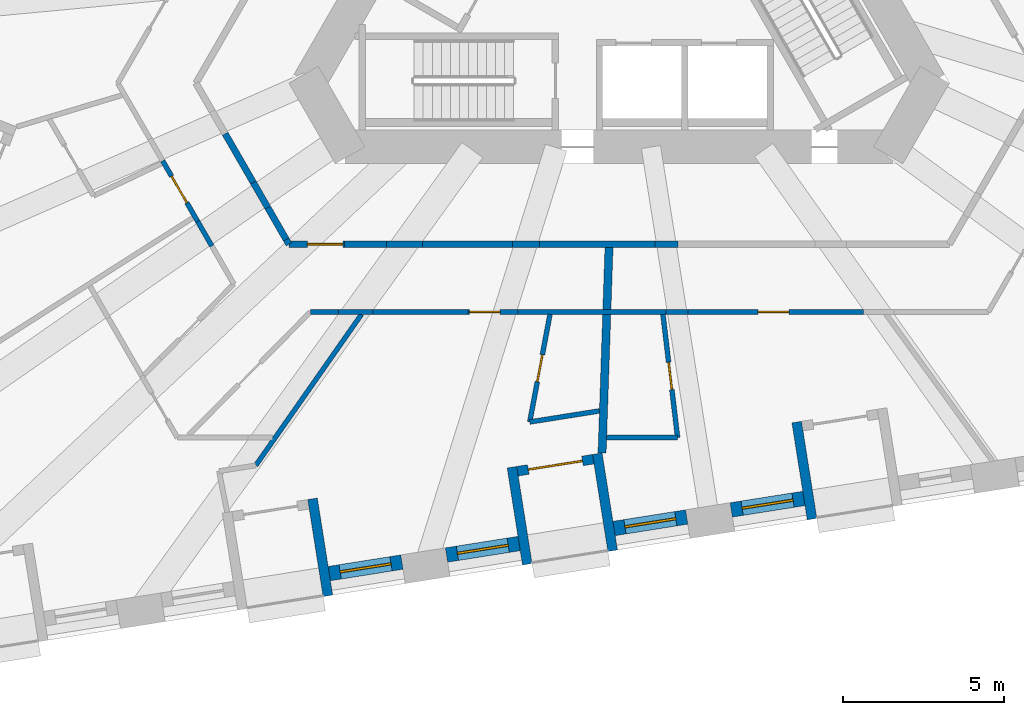
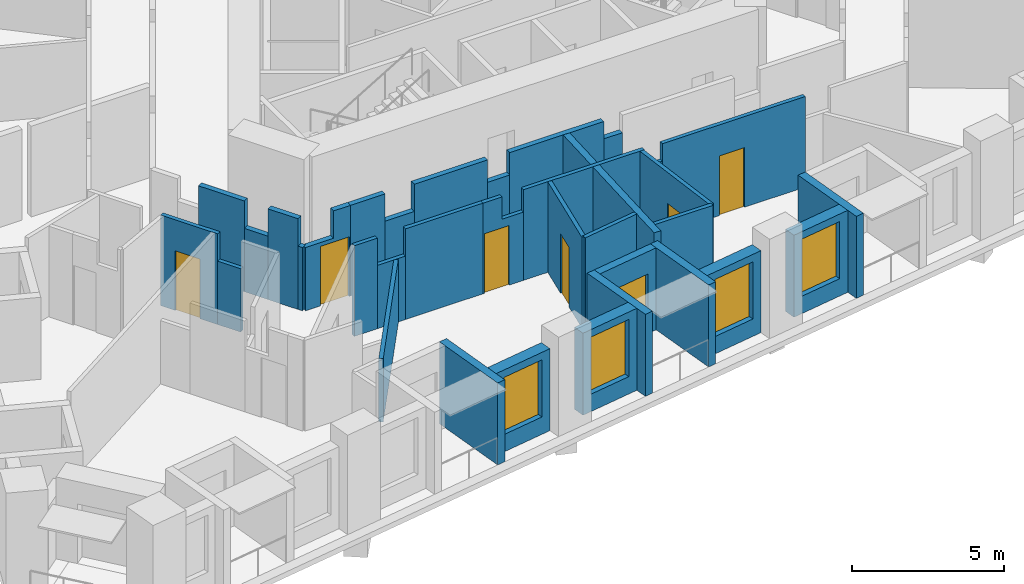
# One storey, part 3 of 14: 35 walls, 7 doors, 4 windows, 11 openings.
"""IFC4 building model written with IfcOpenShell, lengths in metres."""

from ifc_helpers import new_model, si_unit, direction, frame, frame_2d, origin, place, context, subcontext, project, spatial, polyline, rectangle, outline, extrude, material, layer, layer_set, type_object, element, fill, save


model = new_model("IFC4")

# Units and contexts
model_context = context("Model", 3, precision=1e-05, world=origin(), true_north=direction((0.0, 1.0)))
body_context = subcontext(model_context, "Body", "Model", "MODEL_VIEW")
ifc_project = project(units=[si_unit("LENGTHUNIT", "METRE"), si_unit("AREAUNIT", "SQUARE_METRE"), si_unit("VOLUMEUNIT", "CUBIC_METRE"), si_unit("PLANEANGLEUNIT", "RADIAN"), si_unit("MASSUNIT", "GRAM", prefix="KILO")], contexts=[model_context])

# Site, building, storey
site_placement = place(None, origin())
site = spatial("IfcSite", under=ifc_project, at=site_placement, CompositionType="ELEMENT")
building_placement = place(site_placement, origin())
building = spatial("IfcBuilding", under=site, at=building_placement, Name="Tramontana Tower", CompositionType="ELEMENT")
storey_placement = place(building_placement, frame((0.0, 0.0, 71.199951171875)))
storey = spatial("IfcBuildingStorey", under=building, at=storey_placement, Name="L15", CompositionType="ELEMENT", Elevation=71.199951171875)

# Walls
ifc_material_1 = material(Name="Blockwork", Category="masonry")
ifc_layer_1 = layer(ifc_material_1, 0.199951171875)
ifc_layer_set_1 = layer_set([ifc_layer_1], Name="ENTRY WALL 200")
wall_type_1 = type_object("IfcWallType", Name="ENTRY WALL 200", PredefinedType="SOLIDWALL", material=ifc_layer_set_1)
wall_1_placement = place(storey_placement, frame((1.8193359375, -9.25, 0.0), z_axis=(0.0, 0.0, 1.0), x_axis=(-1.0, 0.0, 0.0)))
element("IfcWall", 1, at=wall_1_placement, inside=storey, type_object=wall_type_1, Name="Wall v11-ew2-3", PredefinedType="SOLIDWALL", context=body_context, shape_type="SweptSolid", body=[
    extrude(rectangle(XDim=0.708740234375, YDim=0.199951171875, at=frame_2d((0.3544921875, 0.0))), origin(), (0.0, 0.0, 1.0), 2.949951171875),
])
wall_2_placement = place(storey_placement, frame((1.110595703125, -9.25, 0.0), z_axis=(0.0, 0.0, 1.0), x_axis=(-1.0, 0.0, 0.0)))
element("IfcWall", 2, at=wall_2_placement, inside=storey, type_object=wall_type_1, Name="Wall v11-ew2-4", PredefinedType="SOLIDWALL", context=body_context, shape_type="SweptSolid", body=[
    extrude(rectangle(XDim=3.585205078125, YDim=0.199951171875, at=frame_2d((1.79248046875, 0.0))), origin(), (0.0, 0.0, 1.0), 3.650146484375),
])
wall_3_placement = place(storey_placement, frame((-2.474609375, -9.25, 0.0), z_axis=(0.0, 0.0, 1.0), x_axis=(-1.0, 0.0, 0.0)))
element("IfcWall", 3, at=wall_3_placement, inside=storey, type_object=wall_type_1, Name="Wall v11-ew2-5", PredefinedType="SOLIDWALL", context=body_context, shape_type="SweptSolid", body=[
    extrude(rectangle(XDim=0.838134765625, YDim=0.199951171875, at=frame_2d((0.4189453125, 0.0))), origin(), (0.0, 0.0, 1.0), 2.75),
])
wall_4_placement = place(storey_placement, frame((-3.312744140625, -9.25, 0.0), z_axis=(0.0, 0.0, 1.0), x_axis=(-1.0, 0.0, 0.0)))
element("IfcWall", 4, at=wall_4_placement, inside=storey, type_object=wall_type_1, Name="Wall v11-ew2-6", PredefinedType="SOLIDWALL", context=body_context, shape_type="SweptSolid", body=[
    extrude(rectangle(XDim=2.793701171875, YDim=0.199951171875, at=frame_2d((1.39697265625, 0.0))), origin(), (0.0, 0.0, 1.0), 3.650146484375),
])
wall_5_placement = place(storey_placement, frame((-6.1064453125, -9.25, 0.0), z_axis=(0.0, 0.0, 1.0), x_axis=(-1.0, 0.0, 0.0)))
element("IfcWall", 5, at=wall_5_placement, inside=storey, type_object=wall_type_1, Name="Wall v11-ew2-7", PredefinedType="SOLIDWALL", context=body_context, shape_type="SweptSolid", body=[
    extrude(rectangle(XDim=1.10888671875, YDim=0.199951171875, at=frame_2d((0.554443359375, 0.0))), origin(), (0.0, 0.0, 1.0), 2.550048828125),
])
wall_6_placement = place(storey_placement, frame((-7.21533203125, -9.25, 0.0), z_axis=(0.0, 0.0, 1.0), x_axis=(-1.0, 0.0, 0.0)))
element("IfcWall", 6, at=wall_6_placement, inside=storey, type_object=wall_type_1, Name="Wall v11-ew2-8", PredefinedType="SOLIDWALL", context=body_context, shape_type="SweptSolid", body=[
    extrude(rectangle(XDim=1.3125, YDim=0.199951171875, at=frame_2d((0.65625, 0.0))), origin(), (0.0, 0.0, 1.0), 3.650146484375),
])

# Wall, opening, door
wall_7_placement = place(storey_placement, frame((-10.248046875, -9.25, 0.0), z_axis=(0.0, 0.0, 1.0), x_axis=(1.0, 0.0, 0.0)))
wall_7 = element("IfcWall", 7, at=wall_7_placement, inside=storey, type_object=wall_type_1, Name="Wall v11-ew2-9", PredefinedType="SOLIDWALL", context=body_context, shape_type="SweptSolid", body=[
    extrude(outline(polyline([(0.0, 0.0), (1.72021484375, 0.0), (1.72021484375, 3.650146484375), (1.0703125, 3.650146484375), (1.0703125, 2.550048828125), (0.0, 2.550048828125), (0.0, 0.0)])), frame((0.0, 0.10009765625, 0.0), z_axis=(0.0, -1.0, 0.0), x_axis=(1.0, 0.0, 0.0)), (0.0, 0.0, 1.0), 0.199951171875),
])
opening_1_placement = place(wall_7_placement, frame((0.570068359375, 0.0, 0.0)))
opening_1 = element("IfcOpeningElement", 8, at=opening_1_placement, cuts=wall_7, Name="Opening B1B-30", PredefinedType="OPENING", context=body_context, shape_type="SweptSolid", body=[
    extrude(rectangle(XDim=1.10009765625, YDim=2.39990234375, at=frame_2d((0.550048828125, 1.199951171875))), frame((0.0, 0.10986328125, 0.0), z_axis=(0.0, -1.0, 0.0), x_axis=(1.0, 0.0, 0.0)), (0.0, 0.0, 1.0), 0.219970703125),
])
ifc_material_2 = material(Name="Painted timber", Category="wood")
door_type_1 = type_object("IfcDoorType", Name="DOOR ENTRY 1100", OperationType="SINGLE_SWING_LEFT", PredefinedType="DOOR", material=ifc_material_2)
door_1_placement = place(opening_1_placement, origin())
door_1 = element("IfcDoor", 9, at=door_1_placement, inside=storey, type_object=door_type_1, Name="Door B1B-30", OperationType="SINGLE_SWING_RIGHT", OverallHeight=2.39990234375, OverallWidth=1.10009765625, PredefinedType="DOOR", context=body_context, shape_type="SweptSolid", body=[
    extrude(rectangle(XDim=1.10009765625, YDim=2.39990234375, at=frame_2d((0.550048828125, 1.199951171875))), frame((0.0, 0.02490234375, 0.0), z_axis=(0.0, -1.0, 0.0), x_axis=(1.0, 0.0, 0.0)), (0.0, 0.0, 1.0), 0.050048828125),
])
fill(opening_1, door_1)

# Walls
wall_8_placement = place(storey_placement, frame((-10.248046875, -9.25, 0.0), z_axis=(0.0, 0.0, 1.0), x_axis=(-0.499516518495, 0.866304362075, 0.0)))
element("IfcWall", 10, at=wall_8_placement, inside=storey, type_object=wall_type_1, Name="Wall v11-ew3-0", PredefinedType="SOLIDWALL", context=body_context, shape_type="SweptSolid", body=[
    extrude(rectangle(XDim=0.171142578125, YDim=0.199951171875, at=frame_2d((0.08544921875, 0.0))), origin(), (0.0, 0.0, 1.0), 2.550048828125),
])
wall_9_placement = place(storey_placement, frame((-10.33349609375, -9.101806640625, 0.0), z_axis=(0.0, 0.0, 1.0), x_axis=(-0.500049527193, 0.865996807358, 0.0)))
element("IfcWall", 11, at=wall_9_placement, inside=storey, type_object=wall_type_1, Name="Wall v11-ew3-1", PredefinedType="SOLIDWALL", context=body_context, shape_type="SweptSolid", body=[
    extrude(rectangle(XDim=1.1416015625, YDim=0.199951171875, at=frame_2d((0.57080078125, 0.0))), origin(), (0.0, 0.0, 1.0), 3.650146484375),
])
wall_10_placement = place(storey_placement, frame((-10.904296875, -8.11328125, 0.0), z_axis=(0.0, 0.0, 1.0), x_axis=(-0.499948710669, 0.866055013668, 0.0)))
element("IfcWall", 12, at=wall_10_placement, inside=storey, type_object=wall_type_1, Name="Wall v11-ew3-2", PredefinedType="SOLIDWALL", context=body_context, shape_type="SweptSolid", body=[
    extrude(rectangle(XDim=0.90283203125, YDim=0.199951171875, at=frame_2d((0.451416015625, 0.0))), origin(), (0.0, 0.0, 1.0), 2.550048828125),
])
wall_11_placement = place(storey_placement, frame((-11.355712890625, -7.331298828125, 0.0), z_axis=(0.0, 0.0, 1.0), x_axis=(-0.50000494408, 0.866022549299, 0.0)))
element("IfcWall", 13, at=wall_11_placement, inside=storey, type_object=wall_type_1, Name="Wall v11-ew3-3", PredefinedType="SOLIDWALL", context=body_context, shape_type="SweptSolid", body=[
    extrude(rectangle(XDim=1.74560546875, YDim=0.199951171875, at=frame_2d((0.872802734375, 0.0))), origin(), (0.0, 0.0, 1.0), 3.650146484375),
])

# Wall, opening, window
ifc_material_3 = material(Name="Precast concrete 60 MPa", Category="concrete")
ifc_layer_2 = layer(ifc_material_3, 0.449951171875)
ifc_layer_set_2 = layer_set([ifc_layer_2], Name="Precast concrete 60 MPa, 450 mm")
wall_type_2 = type_object("IfcWallType", Name="EW1 Stone-faced precast wall 450", PredefinedType="SOLIDWALL", material=ifc_layer_set_2)
wall_12_placement = place(storey_placement, frame((-8.99658203125, -19.47216796875, 0.0), z_axis=(0.0, 0.0, 1.0), x_axis=(0.987685675151, 0.156451293065, 0.0)))
wall_12 = element("IfcWall", 14, at=wall_12_placement, inside=storey, type_object=wall_type_2, Name="External wall L15 face 1 bay 2", PredefinedType="SOLIDWALL", context=body_context, shape_type="SweptSolid", body=[
    extrude(rectangle(XDim=2.282958984375, YDim=0.449951171875, at=frame_2d((1.1416015625, 0.0))), origin(), (0.0, 0.0, 1.0), 3.300048828125),
])
opening_2_placement = place(wall_12_placement, frame((0.341552734375, 0.0, 0.699951171875)))
opening_2 = element("IfcOpeningElement", 15, at=opening_2_placement, cuts=wall_12, Name="Opening M1", PredefinedType="OPENING", context=body_context, shape_type="SweptSolid", body=[
    extrude(rectangle(XDim=1.60009765625, YDim=2.300048828125, at=frame_2d((0.800048828125, 1.14990234375))), frame((0.0, 0.23486328125, 0.0), z_axis=(0.0, -1.0, 0.0), x_axis=(1.0, 0.0, 0.0)), (0.0, 0.0, 1.0), 0.469970703125),
])
ifc_material_4 = material(Name="Aluminum frame, double glazing unit", Category="aluminium")
window_type = type_object("IfcWindowType", Name="M1 Window 1.6 x 2.3", PartitioningType="SINGLE_PANEL", PredefinedType="WINDOW", material=ifc_material_4)
window_1_placement = place(opening_2_placement, origin())
window_1 = element("IfcWindow", 16, at=window_1_placement, inside=storey, type_object=window_type, Name="Window M1 L15 face 1 module 6", OverallHeight=2.300048828125, OverallWidth=1.60009765625, PartitioningType="SINGLE_PANEL", PredefinedType="WINDOW", context=body_context, shape_type="SweptSolid", body=[
    extrude(rectangle(XDim=1.60009765625, YDim=2.300048828125, at=frame_2d((0.800048828125, 1.14990234375))), frame((0.0, 0.030029296875, 0.0), z_axis=(0.0, -1.0, 0.0), x_axis=(1.0, 0.0, 0.0)), (0.0, 0.0, 1.0), 0.06005859375),
])
fill(opening_2, window_1)

wall_13_placement = place(storey_placement, frame((-5.35888671875, -18.89599609375, 0.0), z_axis=(0.0, 0.0, 1.0), x_axis=(0.987685675151, 0.156451293065, 0.0)))
wall_13 = element("IfcWall", 17, at=wall_13_placement, inside=storey, type_object=wall_type_2, Name="External wall L15 face 1 bay 3", PredefinedType="SOLIDWALL", context=body_context, shape_type="SweptSolid", body=[
    extrude(rectangle(XDim=2.282958984375, YDim=0.449951171875, at=frame_2d((1.1416015625, 0.0))), origin(), (0.0, 0.0, 1.0), 3.300048828125),
])
opening_3_placement = place(wall_13_placement, frame((0.341552734375, 0.0, 0.699951171875)))
opening_3 = element("IfcOpeningElement", 18, at=opening_3_placement, cuts=wall_13, Name="Opening M1", PredefinedType="OPENING", context=body_context, shape_type="SweptSolid", body=[
    extrude(rectangle(XDim=1.60009765625, YDim=2.300048828125, at=frame_2d((0.800048828125, 1.14990234375))), frame((0.0, 0.23486328125, 0.0), z_axis=(0.0, -1.0, 0.0), x_axis=(1.0, 0.0, 0.0)), (0.0, 0.0, 1.0), 0.469970703125),
])
window_2_placement = place(opening_3_placement, origin())
window_2 = element("IfcWindow", 19, at=window_2_placement, inside=storey, type_object=window_type, Name="Window M1 L15 face 1 module 7", OverallHeight=2.300048828125, OverallWidth=1.60009765625, PartitioningType="SINGLE_PANEL", PredefinedType="WINDOW", context=body_context, shape_type="SweptSolid", body=[
    extrude(rectangle(XDim=1.60009765625, YDim=2.300048828125, at=frame_2d((0.800048828125, 1.14990234375))), frame((0.0, 0.030029296875, 0.0), z_axis=(0.0, -1.0, 0.0), x_axis=(1.0, 0.0, 0.0)), (0.0, 0.0, 1.0), 0.06005859375),
])
fill(opening_3, window_2)

wall_14_placement = place(storey_placement, frame((-0.15771484375, -18.072265625, 0.0), z_axis=(0.0, 0.0, 1.0), x_axis=(0.987685675151, 0.156451293065, 0.0)))
wall_14 = element("IfcWall", 20, at=wall_14_placement, inside=storey, type_object=wall_type_2, Name="External wall L15 face 1 bay 3", PredefinedType="SOLIDWALL", context=body_context, shape_type="SweptSolid", body=[
    extrude(rectangle(XDim=2.282958984375, YDim=0.449951171875, at=frame_2d((1.1416015625, 0.0))), origin(), (0.0, 0.0, 1.0), 3.300048828125),
])
opening_4_placement = place(wall_14_placement, frame((0.341552734375, 0.0, 0.699951171875)))
opening_4 = element("IfcOpeningElement", 21, at=opening_4_placement, cuts=wall_14, Name="Opening M1", PredefinedType="OPENING", context=body_context, shape_type="SweptSolid", body=[
    extrude(rectangle(XDim=1.60009765625, YDim=2.300048828125, at=frame_2d((0.800048828125, 1.14990234375))), frame((0.0, 0.23486328125, 0.0), z_axis=(0.0, -1.0, 0.0), x_axis=(1.0, 0.0, 0.0)), (0.0, 0.0, 1.0), 0.469970703125),
])
window_3_placement = place(opening_4_placement, origin())
window_3 = element("IfcWindow", 22, at=window_3_placement, inside=storey, type_object=window_type, Name="Window M1 L15 face 1 module 9", OverallHeight=2.300048828125, OverallWidth=1.60009765625, PartitioningType="SINGLE_PANEL", PredefinedType="WINDOW", context=body_context, shape_type="SweptSolid", body=[
    extrude(rectangle(XDim=1.60009765625, YDim=2.300048828125, at=frame_2d((0.800048828125, 1.14990234375))), frame((0.0, 0.030029296875, 0.0), z_axis=(0.0, -1.0, 0.0), x_axis=(1.0, 0.0, 0.0)), (0.0, 0.0, 1.0), 0.06005859375),
])
fill(opening_4, window_3)

wall_15_placement = place(storey_placement, frame((3.479736328125, -17.49609375, 0.0), z_axis=(0.0, 0.0, 1.0), x_axis=(0.987685675151, 0.156451293065, 0.0)))
wall_15 = element("IfcWall", 23, at=wall_15_placement, inside=storey, type_object=wall_type_2, Name="External wall L15 face 1 bay 4", PredefinedType="SOLIDWALL", context=body_context, shape_type="SweptSolid", body=[
    extrude(rectangle(XDim=2.282958984375, YDim=0.449951171875, at=frame_2d((1.1416015625, 0.0))), origin(), (0.0, 0.0, 1.0), 3.300048828125),
])
opening_5_placement = place(wall_15_placement, frame((0.341552734375, 0.0, 0.699951171875)))
opening_5 = element("IfcOpeningElement", 24, at=opening_5_placement, cuts=wall_15, Name="Opening M1", PredefinedType="OPENING", context=body_context, shape_type="SweptSolid", body=[
    extrude(rectangle(XDim=1.60009765625, YDim=2.300048828125, at=frame_2d((0.800048828125, 1.14990234375))), frame((0.0, 0.23486328125, 0.0), z_axis=(0.0, -1.0, 0.0), x_axis=(1.0, 0.0, 0.0)), (0.0, 0.0, 1.0), 0.469970703125),
])
window_4_placement = place(opening_5_placement, origin())
window_4 = element("IfcWindow", 25, at=window_4_placement, inside=storey, type_object=window_type, Name="Window M1 L15 face 1 module 10", OverallHeight=2.300048828125, OverallWidth=1.60009765625, PartitioningType="SINGLE_PANEL", PredefinedType="WINDOW", context=body_context, shape_type="SweptSolid", body=[
    extrude(rectangle(XDim=1.60009765625, YDim=2.300048828125, at=frame_2d((0.800048828125, 1.14990234375))), frame((0.0, 0.030029296875, 0.0), z_axis=(0.0, -1.0, 0.0), x_axis=(1.0, 0.0, 0.0)), (0.0, 0.0, 1.0), 0.06005859375),
])
fill(opening_5, window_4)

# Wall
ifc_material_5 = material(Name="Precast concrete 60 MPa", Category="concrete")
ifc_layer_3 = layer(ifc_material_5, 0.300048828125)
ifc_layer_set_3 = layer_set([ifc_layer_3], Name="LW1 Stone-faced loggia wall 300")
wall_type_3 = type_object("IfcWallType", Name="LW1 Stone-faced loggia wall 300", PredefinedType="SOLIDWALL", material=ifc_layer_set_3)
wall_16_placement = place(storey_placement, frame((-9.0390625, -20.162353515625, 0.0), z_axis=(0.0, 0.0, 1.0), x_axis=(-0.156488687365, 0.987679751097, 0.0)))
element("IfcWall", 26, at=wall_16_placement, inside=storey, type_object=wall_type_3, Name="Loggia return L15 G1S1.4b", PredefinedType="SOLIDWALL", context=body_context, shape_type="SweptSolid", body=[
    extrude(rectangle(XDim=3.050048828125, YDim=0.300048828125, at=frame_2d((1.52490234375, 0.0))), origin(), (0.0, 0.0, 1.0), 3.300048828125),
])

# Wall, opening, door
wall_17_placement = place(storey_placement, frame((-3.15576171875, -16.294189453125, 0.0), z_axis=(0.0, 0.0, 1.0), x_axis=(0.987685586014, 0.156451855793, 0.0)))
wall_17 = element("IfcWall", 27, at=wall_17_placement, inside=storey, type_object=wall_type_3, Name="Loggia wall L15 G1S1.7", PredefinedType="SOLIDWALL", context=body_context, shape_type="SweptSolid", body=[
    extrude(rectangle(XDim=2.3828125, YDim=0.300048828125, at=frame_2d((1.19140625, 0.0))), origin(), (0.0, 0.0, 1.0), 3.300048828125),
])
opening_6_placement = place(wall_17_placement, frame((0.341552734375, 0.0, 0.0)))
opening_6 = element("IfcOpeningElement", 28, at=opening_6_placement, cuts=wall_17, Name="Opening BD-1S1-07", PredefinedType="OPENING", context=body_context, shape_type="SweptSolid", body=[
    extrude(rectangle(XDim=1.699951171875, YDim=2.39990234375, at=frame_2d((0.85009765625, 1.199951171875))), frame((0.0, 0.159912109375, 0.0), z_axis=(0.0, -1.0, 0.0), x_axis=(1.0, 0.0, 0.0)), (0.0, 0.0, 1.0), 0.320068359375),
])
ifc_material_6 = material(Name="Aluminum frame, double glazing unit", Category="aluminium")
door_type_2 = type_object("IfcDoorType", Name="BD1 Sliding door 1.7 x 2.4", OperationType="SLIDING_TO_LEFT", PredefinedType="DOOR", material=ifc_material_6)
door_2_placement = place(opening_6_placement, origin())
door_2 = element("IfcDoor", 29, at=door_2_placement, inside=storey, type_object=door_type_2, Name="Loggia door L15 G1S1.7", OperationType="SLIDING_TO_LEFT", OverallHeight=2.39990234375, OverallWidth=1.699951171875, PredefinedType="DOOR", context=body_context, shape_type="SweptSolid", body=[
    extrude(rectangle(XDim=1.699951171875, YDim=2.39990234375, at=frame_2d((0.85009765625, 1.199951171875))), frame((0.0, 0.02490234375, 0.0), z_axis=(0.0, -1.0, 0.0), x_axis=(1.0, 0.0, 0.0)), (0.0, 0.0, 1.0), 0.050048828125),
])
fill(opening_6, door_2)

# Walls
for number, where, z_axis, x_axis, name in (
    (30, (-2.850341796875, -19.18212890625, 0.0), (0.0, 0.0, 1.0), (-0.156410600741, 0.987692120033, 0.0), "Loggia return L15 G1S1.7a"),
    (31, (-0.200439453125, -18.762451171875, 0.0), (0.0, 0.0, 1.0), (-0.156410600741, 0.987692120033, 0.0), "Loggia return L15 G1S1.7b"),
    (32, (5.988525390625, -17.7822265625, 0.0), (0.0, 0.0, 1.0), (-0.156488687365, 0.987679751097, 0.0), "Loggia return L15 G1S1.10a"),
):
    element("IfcWall", number, at=place(storey_placement, frame(where, z_axis=z_axis, x_axis=x_axis)), inside=storey, type_object=wall_type_3, Name=name, PredefinedType="SOLIDWALL", context=body_context, shape_type="SweptSolid", body=[
        extrude(rectangle(XDim=3.050048828125, YDim=0.300048828125, at=frame_2d((1.52490234375, 0.0))), origin(), (0.0, 0.0, 1.0), 3.300048828125),
    ])
ifc_material_7 = material(Name="Gypsum board partition")
ifc_layer_4 = layer(ifc_material_7, 0.14990234375)
ifc_layer_set_4 = layer_set([ifc_layer_4], Name="PARTITION 150")
wall_type_4 = type_object("IfcWallType", Name="PARTITION 150", PredefinedType="PARTITIONING", material=ifc_layer_set_4)
wall_18_placement = place(storey_placement, frame((-12.641845703125, -9.3037109375, 0.0), z_axis=(0.0, 0.0, 1.0), x_axis=(-0.500027377864, 0.86600959659, 0.0)))
element("IfcWall", 33, at=wall_18_placement, inside=storey, type_object=wall_type_4, Name="Wall v11-pw11-1", PredefinedType="PARTITIONING", context=body_context, shape_type="SweptSolid", body=[
    extrude(rectangle(XDim=0.8779296875, YDim=0.14990234375, at=frame_2d((0.43896484375, 0.0))), origin(), (0.0, 0.0, 1.0), 2.550048828125),
])

# Wall, opening, door
wall_19_placement = place(storey_placement, frame((-13.080810546875, -8.54345703125, 0.0), z_axis=(0.0, 0.0, 1.0), x_axis=(-0.499978335414, 0.866037911478, 0.0)))
wall_19 = element("IfcWall", 34, at=wall_19_placement, inside=storey, type_object=wall_type_4, Name="Wall v11-pw11-2", PredefinedType="PARTITIONING", context=body_context, shape_type="SweptSolid", body=[
    extrude(rectangle(XDim=2.1748046875, YDim=0.14990234375, at=frame_2d((1.08740234375, 0.0))), origin(), (0.0, 0.0, 1.0), 3.650146484375),
])
opening_7_placement = place(wall_19_placement, frame((0.671142578125, 0.0, 0.0)))
opening_7 = element("IfcOpeningElement", 35, at=opening_7_placement, cuts=wall_19, Name="Opening B1B-15", PredefinedType="OPENING", context=body_context, shape_type="SweptSolid", body=[
    extrude(rectangle(XDim=0.949951171875, YDim=2.39990234375, at=frame_2d((0.47509765625, 1.199951171875))), frame((0.0, 0.0849609375, 0.0), z_axis=(0.0, -1.0, 0.0), x_axis=(1.0, 0.0, 0.0)), (0.0, 0.0, 1.0), 0.169921875),
])
ifc_material_8 = material(Name="Painted timber", Category="wood")
door_type_3 = type_object("IfcDoorType", Name="DOOR ROOM 950", OperationType="SINGLE_SWING_LEFT", PredefinedType="DOOR", material=ifc_material_8)
door_3_placement = place(opening_7_placement, origin())
door_3 = element("IfcDoor", 36, at=door_3_placement, inside=storey, type_object=door_type_3, Name="Door B1B-15", OperationType="SINGLE_SWING_LEFT", OverallHeight=2.39990234375, OverallWidth=0.949951171875, PredefinedType="DOOR", context=body_context, shape_type="SweptSolid", body=[
    extrude(rectangle(XDim=0.949951171875, YDim=2.39990234375, at=frame_2d((0.47509765625, 1.199951171875))), frame((0.0, 0.02490234375, 0.0), z_axis=(0.0, -1.0, 0.0), x_axis=(1.0, 0.0, 0.0)), (0.0, 0.0, 1.0), 0.050048828125),
])
fill(opening_7, door_3)

# Wall
wall_20_placement = place(storey_placement, frame((-7.9970703125, -11.425048828125, 0.0), z_axis=(0.0, 0.0, 1.0), x_axis=(-0.573453752882, -0.819237934489, 0.0)))
element("IfcWall", 37, at=wall_20_placement, inside=storey, type_object=wall_type_4, Name="Wall v11-pw23-0", PredefinedType="PARTITIONING", context=body_context, shape_type="SweptSolid", body=[
    extrude(rectangle(XDim=5.721435546875, YDim=0.14990234375, at=frame_2d((2.86083984375, 0.0))), origin(), (0.0, 0.0, 1.0), 2.550048828125),
])

# Wall, opening, door
wall_21_placement = place(storey_placement, frame((-2.146728515625, -11.425048828125, 0.0), z_axis=(0.0, 0.0, 1.0), x_axis=(-0.184665813639, -0.982801372238, 0.0)))
wall_21 = element("IfcWall", 38, at=wall_21_placement, inside=storey, type_object=wall_type_4, Name="Wall v11-pw29", PredefinedType="PARTITIONING", context=body_context, shape_type="SweptSolid", body=[
    extrude(rectangle(XDim=3.39892578125, YDim=0.14990234375, at=frame_2d((1.699462890625, 0.0))), origin(), (0.0, 0.0, 1.0), 3.650146484375),
])
opening_8_placement = place(wall_21_placement, frame((1.2744140625, 0.0, 0.0)))
opening_8 = element("IfcOpeningElement", 39, at=opening_8_placement, cuts=wall_21, Name="Opening B1B-19", PredefinedType="OPENING", context=body_context, shape_type="SweptSolid", body=[
    extrude(rectangle(XDim=0.85009765625, YDim=2.39990234375, at=frame_2d((0.425048828125, 1.199951171875))), frame((0.0, 0.0849609375, 0.0), z_axis=(0.0, -1.0, 0.0), x_axis=(1.0, 0.0, 0.0)), (0.0, 0.0, 1.0), 0.169921875),
])
ifc_material_9 = material(Name="Painted timber", Category="wood")
door_type_4 = type_object("IfcDoorType", Name="DOOR BATH 850", OperationType="SINGLE_SWING_LEFT", PredefinedType="DOOR", material=ifc_material_9)
door_4_placement = place(opening_8_placement, origin())
door_4 = element("IfcDoor", 40, at=door_4_placement, inside=storey, type_object=door_type_4, Name="Door B1B-19", OperationType="SINGLE_SWING_LEFT", OverallHeight=2.39990234375, OverallWidth=0.85009765625, PredefinedType="DOOR", context=body_context, shape_type="SweptSolid", body=[
    extrude(rectangle(XDim=0.85009765625, YDim=2.39990234375, at=frame_2d((0.425048828125, 1.199951171875))), frame((0.0, 0.02490234375, 0.0), z_axis=(0.0, -1.0, 0.0), x_axis=(1.0, 0.0, 0.0)), (0.0, 0.0, 1.0), 0.050048828125),
])
fill(opening_8, door_4)

# Wall
wall_22_placement = place(storey_placement, frame((-0.610595703125, -14.4228515625, 0.0), z_axis=(0.0, 0.0, 1.0), x_axis=(-0.987684230158, -0.156460415112, 0.0)))
element("IfcWall", 41, at=wall_22_placement, inside=storey, type_object=wall_type_4, Name="Wall v11-pw30", PredefinedType="PARTITIONING", context=body_context, shape_type="SweptSolid", body=[
    extrude(rectangle(XDim=2.19091796875, YDim=0.14990234375, at=frame_2d((1.095458984375, 0.0))), origin(), (0.0, 0.0, 1.0), 3.650146484375),
])

# Wall, opening, door
wall_23_placement = place(storey_placement, frame((1.814697265625, -15.25, 0.0), z_axis=(0.0, 0.0, 1.0), x_axis=(-0.118142953824, 0.992996597407, 0.0)))
wall_23 = element("IfcWall", 42, at=wall_23_placement, inside=storey, type_object=wall_type_4, Name="Wall v11-pw33", PredefinedType="PARTITIONING", context=body_context, shape_type="SweptSolid", body=[
    extrude(rectangle(XDim=3.851806640625, YDim=0.14990234375, at=frame_2d((1.92578125, 0.0))), origin(), (0.0, 0.0, 1.0), 3.650146484375),
])
opening_9_placement = place(wall_23_placement, frame((1.5009765625, 0.0, 0.0)))
opening_9 = element("IfcOpeningElement", 43, at=opening_9_placement, cuts=wall_23, Name="Opening B1B-27", PredefinedType="OPENING", context=body_context, shape_type="SweptSolid", body=[
    extrude(rectangle(XDim=0.85009765625, YDim=2.39990234375, at=frame_2d((0.425048828125, 1.199951171875))), frame((0.0, 0.0849609375, 0.0), z_axis=(0.0, -1.0, 0.0), x_axis=(1.0, 0.0, 0.0)), (0.0, 0.0, 1.0), 0.169921875),
])
door_5_placement = place(opening_9_placement, origin())
door_5 = element("IfcDoor", 44, at=door_5_placement, inside=storey, type_object=door_type_4, Name="Door B1B-27", OperationType="SINGLE_SWING_LEFT", OverallHeight=2.39990234375, OverallWidth=0.85009765625, PredefinedType="DOOR", context=body_context, shape_type="SweptSolid", body=[
    extrude(rectangle(XDim=0.85009765625, YDim=2.39990234375, at=frame_2d((0.425048828125, 1.199951171875))), frame((0.0, 0.02490234375, 0.0), z_axis=(0.0, -1.0, 0.0), x_axis=(1.0, 0.0, 0.0)), (0.0, 0.0, 1.0), 0.050048828125),
])
fill(opening_9, door_5)

# Wall
wall_24_placement = place(storey_placement, frame((1.814697265625, -15.25, 0.0), z_axis=(0.0, 0.0, 1.0), x_axis=(-1.0, 0.0, 0.0)))
element("IfcWall", 45, at=wall_24_placement, inside=storey, type_object=wall_type_4, Name="Wall v11-pw34", PredefinedType="PARTITIONING", context=body_context, shape_type="SweptSolid", body=[
    extrude(rectangle(XDim=2.202880859375, YDim=0.14990234375, at=frame_2d((1.1015625, 0.0))), origin(), (0.0, 0.0, 1.0), 3.650146484375),
])

# Wall, opening, door
wall_25_placement = place(storey_placement, frame((7.582275390625, -11.35009765625, 0.0), z_axis=(0.0, 0.0, 1.0), x_axis=(-1.0, 0.0, 0.0)))
wall_25 = element("IfcWall", 46, at=wall_25_placement, inside=storey, type_object=wall_type_4, Name="Wall v11-pw43-2", PredefinedType="PARTITIONING", context=body_context, shape_type="SweptSolid", body=[
    extrude(rectangle(XDim=5.44287109375, YDim=0.14990234375, at=frame_2d((2.721435546875, 0.0))), origin(), (0.0, 0.0, 1.0), 3.650146484375),
])
opening_10_placement = place(wall_25_placement, frame((2.31591796875, 0.0, 0.0)))
opening_10 = element("IfcOpeningElement", 47, at=opening_10_placement, cuts=wall_25, Name="Opening B1B-24", PredefinedType="OPENING", context=body_context, shape_type="SweptSolid", body=[
    extrude(rectangle(XDim=0.949951171875, YDim=2.39990234375, at=frame_2d((0.47509765625, 1.199951171875))), frame((0.0, 0.0849609375, 0.0), z_axis=(0.0, -1.0, 0.0), x_axis=(1.0, 0.0, 0.0)), (0.0, 0.0, 1.0), 0.169921875),
])
door_6_placement = place(opening_10_placement, origin())
door_6 = element("IfcDoor", 48, at=door_6_placement, inside=storey, type_object=door_type_3, Name="Door B1B-24", OperationType="SINGLE_SWING_RIGHT", OverallHeight=2.39990234375, OverallWidth=0.949951171875, PredefinedType="DOOR", context=body_context, shape_type="SweptSolid", body=[
    extrude(rectangle(XDim=0.949951171875, YDim=2.39990234375, at=frame_2d((0.47509765625, 1.199951171875))), frame((0.0, 0.02490234375, 0.0), z_axis=(0.0, -1.0, 0.0), x_axis=(1.0, 0.0, 0.0)), (0.0, 0.0, 1.0), 0.050048828125),
])
fill(opening_10, door_6)

# Walls
wall_26_placement = place(storey_placement, frame((2.139404296875, -11.35009765625, 0.0), z_axis=(0.0, 0.0, 1.0), x_axis=(-1.0, 0.0, 0.0)))
element("IfcWall", 49, at=wall_26_placement, inside=storey, type_object=wall_type_4, Name="Wall v11-pw43-3", PredefinedType="PARTITIONING", context=body_context, shape_type="SweptSolid", body=[
    extrude(rectangle(XDim=0.683349609375, YDim=0.14990234375, at=frame_2d((0.341796875, 0.0))), origin(), (0.0, 0.0, 1.0), 2.949951171875),
])
wall_27_placement = place(storey_placement, frame((1.4560546875, -11.35009765625, 0.0), z_axis=(0.0, 0.0, 1.0), x_axis=(-1.0, 0.0, 0.0)))
element("IfcWall", 50, at=wall_27_placement, inside=storey, type_object=wall_type_4, Name="Wall v11-pw43-4", PredefinedType="PARTITIONING", context=body_context, shape_type="SweptSolid", body=[
    extrude(rectangle(XDim=4.600830078125, YDim=0.14990234375, at=frame_2d((2.30029296875, 0.0))), origin(), (0.0, 0.0, 1.0), 3.650146484375),
])

# Wall, opening, door
wall_28_placement = place(storey_placement, frame((-3.144775390625, -11.35009765625, 0.0), z_axis=(0.0, 0.0, 1.0), x_axis=(-1.0, 0.0, 0.0)))
wall_28 = element("IfcWall", 51, at=wall_28_placement, inside=storey, type_object=wall_type_4, Name="Wall v11-pw43-5", PredefinedType="PARTITIONING", context=body_context, shape_type="SweptSolid", body=[
    extrude(outline(polyline([(0.0, 0.0), (1.545166015625, 0.0), (1.54541015625, 3.650146484375), (0.81201171875, 3.650146484375), (0.81201171875, 2.75), (0.0, 2.75), (0.0, 0.0)])), frame((0.0, 0.074951171875, 0.0), z_axis=(0.0, -1.0, 0.0), x_axis=(1.0, 0.0, 0.0)), (0.0, 0.0, 1.0), 0.14990234375),
])
opening_11_placement = place(wall_28_placement, frame((0.54541015625, 0.0, 0.0)))
opening_11 = element("IfcOpeningElement", 52, at=opening_11_placement, cuts=wall_28, Name="Opening B1B-17", PredefinedType="OPENING", context=body_context, shape_type="SweptSolid", body=[
    extrude(rectangle(XDim=0.949951171875, YDim=2.39990234375, at=frame_2d((0.47509765625, 1.199951171875))), frame((0.0, 0.0849609375, 0.0), z_axis=(0.0, -1.0, 0.0), x_axis=(1.0, 0.0, 0.0)), (0.0, 0.0, 1.0), 0.169921875),
])
door_7_placement = place(opening_11_placement, origin())
door_7 = element("IfcDoor", 53, at=door_7_placement, inside=storey, type_object=door_type_3, Name="Door B1B-17", OperationType="SINGLE_SWING_LEFT", OverallHeight=2.39990234375, OverallWidth=0.949951171875, PredefinedType="DOOR", context=body_context, shape_type="SweptSolid", body=[
    extrude(rectangle(XDim=0.949951171875, YDim=2.39990234375, at=frame_2d((0.47509765625, 1.199951171875))), frame((0.0, 0.02490234375, 0.0), z_axis=(0.0, -1.0, 0.0), x_axis=(1.0, 0.0, 0.0)), (0.0, 0.0, 1.0), 0.050048828125),
])
fill(opening_11, door_7)

# Walls
wall_29_placement = place(storey_placement, frame((-4.68994140625, -11.35009765625, 0.0), z_axis=(0.0, 0.0, 1.0), x_axis=(-1.0, 0.0, 0.0)))
element("IfcWall", 54, at=wall_29_placement, inside=storey, type_object=wall_type_4, Name="Wall v11-pw43-6", PredefinedType="PARTITIONING", context=body_context, shape_type="SweptSolid", body=[
    extrude(rectangle(XDim=2.944091796875, YDim=0.14990234375, at=frame_2d((1.47216796875, 0.0))), origin(), (0.0, 0.0, 1.0), 3.650146484375),
])
wall_30_placement = place(storey_placement, frame((-7.634033203125, -11.35009765625, 0.0), z_axis=(0.0, 0.0, 1.0), x_axis=(-1.0, 0.0, 0.0)))
element("IfcWall", 55, at=wall_30_placement, inside=storey, type_object=wall_type_4, Name="Wall v11-pw43-7", PredefinedType="PARTITIONING", context=body_context, shape_type="SweptSolid", body=[
    extrude(rectangle(XDim=1.078125, YDim=0.14990234375, at=frame_2d((0.5390625, 0.0))), origin(), (0.0, 0.0, 1.0), 2.550048828125),
])
wall_31_placement = place(storey_placement, frame((-8.712158203125, -11.35009765625, 0.0), z_axis=(0.0, 0.0, 1.0), x_axis=(-1.0, 0.0, 0.0)))
element("IfcWall", 56, at=wall_31_placement, inside=storey, type_object=wall_type_4, Name="Wall v11-pw43-8", PredefinedType="PARTITIONING", context=body_context, shape_type="SweptSolid", body=[
    extrude(rectangle(XDim=0.872314453125, YDim=0.14990234375, at=frame_2d((0.43603515625, 0.0))), origin(), (0.0, 0.0, 1.0), 3.650146484375),
])
ifc_material_10 = material(Name="Blockwork", Category="masonry")
ifc_layer_5 = layer(ifc_material_10, 0.25)
ifc_layer_set_5 = layer_set([ifc_layer_5], Name="PARTY WALL 250")
wall_type_5 = type_object("IfcWallType", Name="PARTY WALL 250", PredefinedType="SOLIDWALL", material=ifc_layer_set_5)
wall_32_placement = place(storey_placement, frame((-0.314697265625, -9.35009765625, 0.0), z_axis=(0.0, 0.0, 1.0), x_axis=(-0.033637193485, -0.999434109491, 0.0)))
element("IfcWall", 57, at=wall_32_placement, inside=storey, type_object=wall_type_5, Name="Wall v11-pw31", PredefinedType="SOLIDWALL", context=body_context, shape_type="SweptSolid", body=[
    extrude(rectangle(XDim=6.3798828125, YDim=0.25, at=frame_2d((3.18994140625, 0.0))), origin(), (0.0, 0.0, 1.0), 3.650146484375),
])

save(model, "model.ifc")
